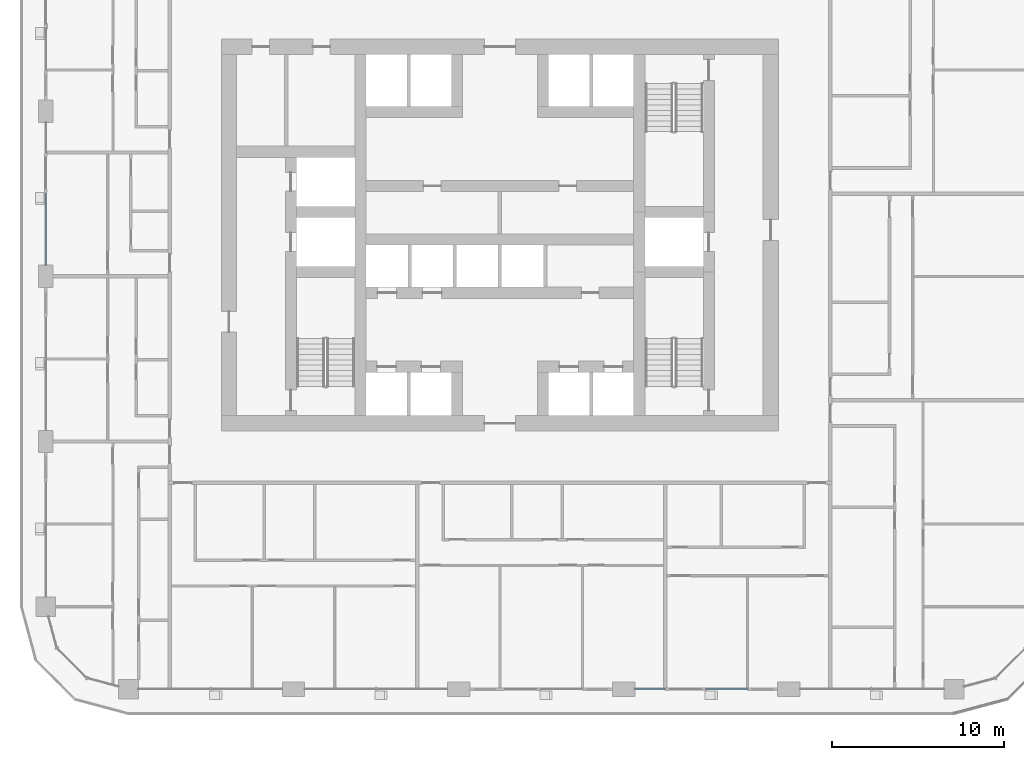
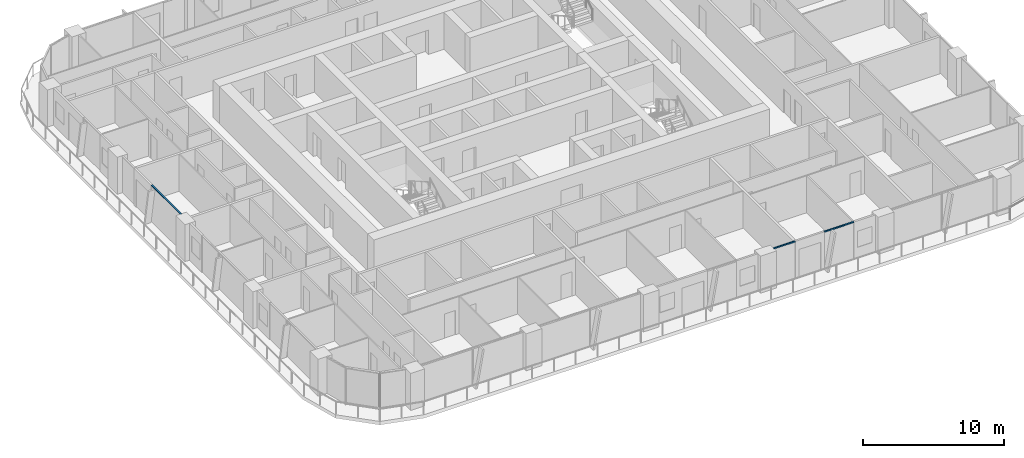
# One storey, part 3 of 22: 3 members, 2 elements without a shape of their own.
"""IFC4 building model written with IfcOpenShell, lengths in metres."""

from ifc_helpers import new_model, si_unit, direction, frame, origin, origin_2d, place, context, subcontext, project, spatial, rectangle, extrude, material, layer, layer_set, material_profile, profile_set, type_object, element, aggregate, save


model = new_model("IFC4")

# Units and contexts
model_context = context("Model", 3, precision=1e-05, world=origin(), true_north=direction((0.0, 1.0)))
body_context = subcontext(model_context, "Body", "Model", "MODEL_VIEW")
ifc_project = project(units=[si_unit("LENGTHUNIT", "METRE"), si_unit("AREAUNIT", "SQUARE_METRE"), si_unit("VOLUMEUNIT", "CUBIC_METRE"), si_unit("PLANEANGLEUNIT", "RADIAN"), si_unit("MASSUNIT", "GRAM", prefix="KILO")], contexts=[model_context])

# Site, building, storey
site_placement = place(None, origin())
site = spatial("IfcSite", under=ifc_project, at=site_placement, CompositionType="ELEMENT")
building_placement = place(site_placement, origin())
building = spatial("IfcBuilding", under=site, at=building_placement, Name="Madar Terraces", CompositionType="ELEMENT")
storey_placement = place(building_placement, frame((0.0, 0.0, 62.800048828125)))
storey = spatial("IfcBuildingStorey", under=building, at=storey_placement, Name="L15", CompositionType="ELEMENT", Elevation=62.800048828125)

# Curtain wall, members
ifc_material_1 = material(Name="Glass, ceramic frit dark grey, with black aluminium frame", Category="aluminium")
ifc_layer = layer(ifc_material_1, 0.199951171875)
ifc_layer_set = layer_set([ifc_layer], Name="Facade curtain wall, fritted glass")
curtain_wall_type = type_object("IfcCurtainWallType", Name="Facade curtain wall, fritted glass", PredefinedType="NOTDEFINED", material=ifc_layer_set)
curtain_wall_1_placement = place(storey_placement, origin())
curtain_wall_1 = element("IfcCurtainWall", 1, at=curtain_wall_1_placement, inside=storey, type_object=curtain_wall_type, Name="Outer skin curtain wall south bay 4", PredefinedType="NOTDEFINED")
ifc_material_2 = material(Name="Aluminium, black anodised", Category="aluminium")
ifc_material_profile = material_profile(ifc_material_2, rectangle(XDim=0.1201171875, YDim=0.06005859375, at=origin_2d()), Name="Facade transom 60x120")
ifc_profile_set = profile_set([ifc_material_profile], Name="Aluminium, black anodised")
member_type = type_object("IfcMemberType", Name="Facade transom 60x120", PredefinedType="USERDEFINED", material=ifc_profile_set)
member_1_placement = place(storey_placement, frame((39.050048828125, 0.0, 3.169921875), z_axis=(1.0, 0.0, 0.0), x_axis=(0.0, 1.0, 0.0)))
member_1 = element("IfcMember", 2, at=member_1_placement, type_object=member_type, Name="Transom 1", ObjectType="TRANSOM", PredefinedType="USERDEFINED", context=body_context, shape_type="SweptSolid", body=[
    extrude(rectangle(XDim=0.1201171875, YDim=0.06005859375, at=origin_2d()), origin(), (0.0, 0.0, 1.0), 1.75),
])
member_2_placement = place(storey_placement, frame((43.199951171875, 0.0, 3.169921875), z_axis=(1.0, 0.0, 0.0), x_axis=(0.0, 1.0, 0.0)))
member_2 = element("IfcMember", 3, at=member_2_placement, type_object=member_type, Name="Transom 2", ObjectType="TRANSOM", PredefinedType="USERDEFINED", context=body_context, shape_type="SweptSolid", body=[
    extrude(rectangle(XDim=0.1201171875, YDim=0.06005859375, at=origin_2d()), origin(), (0.0, 0.0, 1.0), 2.400146484375),
])
aggregate(curtain_wall_1, [member_1, member_2])

# Curtain wall, member
curtain_wall_2_placement = place(storey_placement, origin())
curtain_wall_2 = element("IfcCurtainWall", 4, at=curtain_wall_2_placement, inside=storey, type_object=curtain_wall_type, Name="Outer skin curtain wall west bay 2", PredefinedType="NOTDEFINED")
member_3_placement = place(storey_placement, frame((4.800048828125, 28.800048828125, 3.169921875), z_axis=(0.0, -1.0, 0.0), x_axis=(1.0, 0.0, 0.0)))
member_3 = element("IfcMember", 5, at=member_3_placement, type_object=member_type, Name="Transom 2", ObjectType="TRANSOM", PredefinedType="USERDEFINED", context=body_context, shape_type="SweptSolid", body=[
    extrude(rectangle(XDim=0.1201171875, YDim=0.06005859375, at=origin_2d()), origin(), (0.0, 0.0, 1.0), 4.150146484375),
])
aggregate(curtain_wall_2, [member_3])

save(model, "model.ifc")
